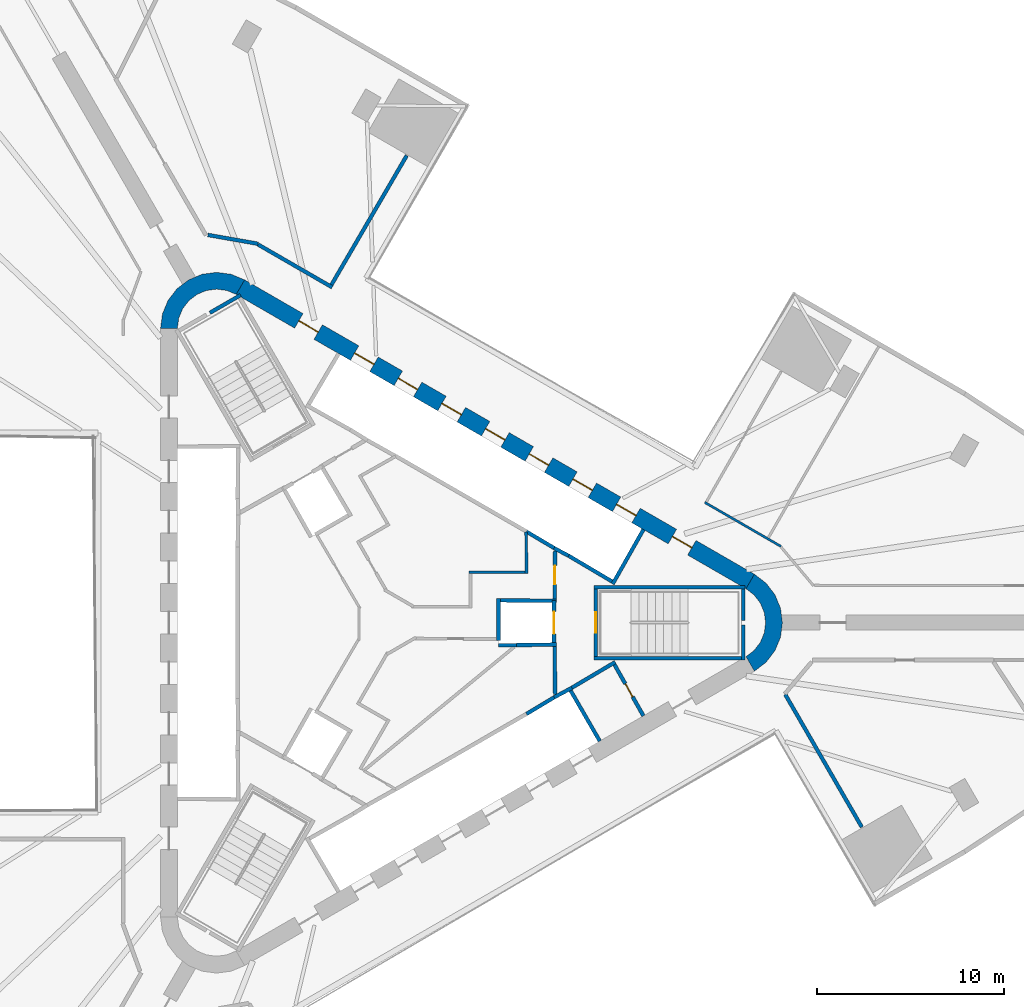
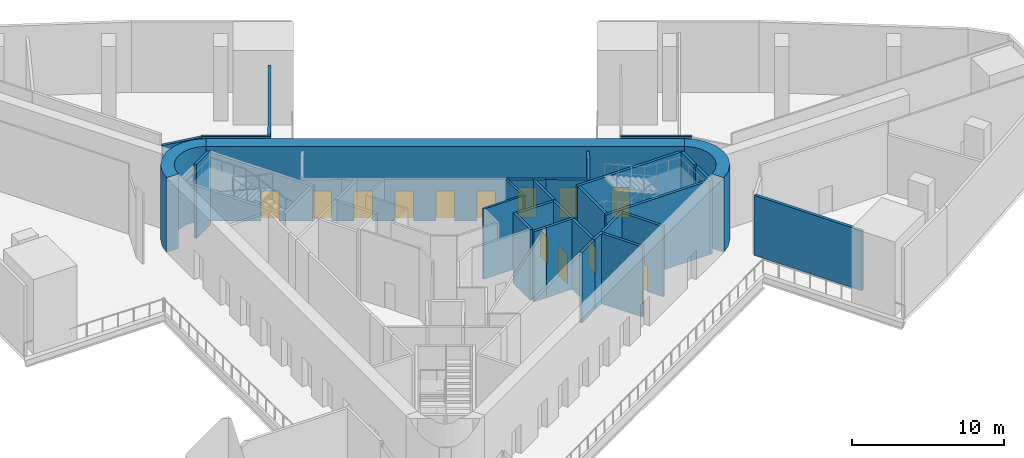
# One storey, part 6 of 11: 32 walls, 13 doors, 13 openings.
"""IFC4 building model written with IfcOpenShell, lengths in metres."""

from ifc_helpers import new_model, si_unit, direction, frame, frame_2d, origin, place, context, subcontext, project, spatial, polyline, rectangle, outline, extrude, material, layer, layer_set, type_object, element, fill, save


model = new_model("IFC4")

# Units and contexts
model_context = context("Model", 3, precision=1e-05, world=origin(), true_north=direction((0.0, 1.0)))
body_context = subcontext(model_context, "Body", "Model", "MODEL_VIEW")
ifc_project = project(units=[si_unit("LENGTHUNIT", "METRE"), si_unit("AREAUNIT", "SQUARE_METRE"), si_unit("VOLUMEUNIT", "CUBIC_METRE"), si_unit("PLANEANGLEUNIT", "RADIAN"), si_unit("MASSUNIT", "GRAM", prefix="KILO")], contexts=[model_context])

# Site, building, storey
site_placement = place(None, origin())
site = spatial("IfcSite", under=ifc_project, at=site_placement, CompositionType="ELEMENT")
building_placement = place(site_placement, origin())
building = spatial("IfcBuilding", under=site, at=building_placement, Name="Tanit Gate Tower", CompositionType="ELEMENT")
storey_placement = place(building_placement, frame((0.0, 0.0, 33.5)))
storey = spatial("IfcBuildingStorey", under=building, at=storey_placement, Name="L05", CompositionType="ELEMENT", Elevation=33.5)

# Wall, openings, doors
ifc_material_1 = material(Name="Concrete C60/75", Category="concrete")
ifc_layer_1 = layer(ifc_material_1, 0.89990234375)
ifc_layer_set_1 = layer_set([ifc_layer_1], Name="CORE WALL 900 C60/75")
wall_type_1 = type_object("IfcWallType", Name="CORE WALL 900 C60/75", PredefinedType="SHEAR", material=ifc_layer_set_1)
wall_1_placement = place(storey_placement, frame((19.47509765625, 2.20849609375, 0.0), z_axis=(0.0, 0.0, 1.0), x_axis=(-0.866028369851, 0.499994862586, 0.0)))
wall_1 = element("IfcWall", 1, at=wall_1_placement, inside=storey, type_object=wall_type_1, Name="CORE WALL", PredefinedType="SHEAR", context=body_context, shape_type="SweptSolid", body=[
    extrude(rectangle(XDim=31.523193359375, YDim=0.89990234375, at=frame_2d((15.76171875, 0.0))), origin(), (0.0, 0.0, 1.0), 6.0),
])
opening_1_placement = place(wall_1_placement, frame((7.0615234375, 0.0, 0.0)))
opening_1 = element("IfcOpeningElement", 2, at=opening_1_placement, cuts=wall_1, Name="Opening LDLL8-05", PredefinedType="OPENING", context=body_context, shape_type="SweptSolid", body=[
    extrude(rectangle(XDim=1.199951171875, YDim=2.39990234375, at=frame_2d((0.60009765625, 1.199951171875))), frame((0.0, 0.4599609375, 0.0), z_axis=(0.0, -1.0, 0.0), x_axis=(1.0, 0.0, 0.0)), (0.0, 0.0, 1.0), 0.919921875),
])
opening_2_placement = place(wall_1_placement, frame((9.76171875, 0.0, 0.0)))
opening_2 = element("IfcOpeningElement", 3, at=opening_2_placement, cuts=wall_1, Name="Opening LDLL9-05", PredefinedType="OPENING", context=body_context, shape_type="SweptSolid", body=[
    extrude(rectangle(XDim=1.199951171875, YDim=2.39990234375, at=frame_2d((0.60009765625, 1.199951171875))), frame((0.0, 0.4599609375, 0.0), z_axis=(0.0, -1.0, 0.0), x_axis=(1.0, 0.0, 0.0)), (0.0, 0.0, 1.0), 0.919921875),
])
opening_3_placement = place(wall_1_placement, frame((12.461669921875, 0.0, 0.0)))
opening_3 = element("IfcOpeningElement", 4, at=opening_3_placement, cuts=wall_1, Name="Opening LDLL10-05", PredefinedType="OPENING", context=body_context, shape_type="SweptSolid", body=[
    extrude(rectangle(XDim=1.199951171875, YDim=2.39990234375, at=frame_2d((0.60009765625, 1.199951171875))), frame((0.0, 0.4599609375, 0.0), z_axis=(0.0, -1.0, 0.0), x_axis=(1.0, 0.0, 0.0)), (0.0, 0.0, 1.0), 0.919921875),
])
opening_4_placement = place(wall_1_placement, frame((15.16162109375, 0.0, 0.0)))
opening_4 = element("IfcOpeningElement", 5, at=opening_4_placement, cuts=wall_1, Name="Opening LDSL1-05", PredefinedType="OPENING", context=body_context, shape_type="SweptSolid", body=[
    extrude(rectangle(XDim=1.199951171875, YDim=2.39990234375, at=frame_2d((0.60009765625, 1.199951171875))), frame((0.0, 0.4599609375, 0.0), z_axis=(0.0, -1.0, 0.0), x_axis=(1.0, 0.0, 0.0)), (0.0, 0.0, 1.0), 0.919921875),
])
opening_5_placement = place(wall_1_placement, frame((17.861572265625, 0.0, 0.0)))
opening_5 = element("IfcOpeningElement", 6, at=opening_5_placement, cuts=wall_1, Name="Opening LDSL2-05", PredefinedType="OPENING", context=body_context, shape_type="SweptSolid", body=[
    extrude(rectangle(XDim=1.199951171875, YDim=2.39990234375, at=frame_2d((0.60009765625, 1.199951171875))), frame((0.0, 0.4599609375, 0.0), z_axis=(0.0, -1.0, 0.0), x_axis=(1.0, 0.0, 0.0)), (0.0, 0.0, 1.0), 0.919921875),
])
opening_6_placement = place(wall_1_placement, frame((20.5615234375, 0.0, 0.0)))
opening_6 = element("IfcOpeningElement", 7, at=opening_6_placement, cuts=wall_1, Name="Opening LDSL3-05", PredefinedType="OPENING", context=body_context, shape_type="SweptSolid", body=[
    extrude(rectangle(XDim=1.199951171875, YDim=2.39990234375, at=frame_2d((0.60009765625, 1.199951171875))), frame((0.0, 0.4599609375, 0.0), z_axis=(0.0, -1.0, 0.0), x_axis=(1.0, 0.0, 0.0)), (0.0, 0.0, 1.0), 0.919921875),
])
opening_7_placement = place(wall_1_placement, frame((23.26171875, 0.0, 0.0)))
opening_7 = element("IfcOpeningElement", 8, at=opening_7_placement, cuts=wall_1, Name="Opening LDSL4-05", PredefinedType="OPENING", context=body_context, shape_type="SweptSolid", body=[
    extrude(rectangle(XDim=1.199951171875, YDim=2.39990234375, at=frame_2d((0.60009765625, 1.199951171875))), frame((0.0, 0.4599609375, 0.0), z_axis=(0.0, -1.0, 0.0), x_axis=(1.0, 0.0, 0.0)), (0.0, 0.0, 1.0), 0.919921875),
])
opening_8_placement = place(wall_1_placement, frame((3.611572265625, 0.0, 0.0)))
opening_8 = element("IfcOpeningElement", 9, at=opening_8_placement, cuts=wall_1, Name="Opening F12-05-FL1", PredefinedType="OPENING", context=body_context, shape_type="SweptSolid", body=[
    extrude(rectangle(XDim=1.199951171875, YDim=2.39990234375, at=frame_2d((0.60009765625, 1.199951171875))), frame((0.0, 0.4599609375, 0.0), z_axis=(0.0, -1.0, 0.0), x_axis=(1.0, 0.0, 0.0)), (0.0, 0.0, 1.0), 0.919921875),
])
opening_9_placement = place(wall_1_placement, frame((26.711669921875, 0.0, 0.0)))
opening_9 = element("IfcOpeningElement", 10, at=opening_9_placement, cuts=wall_1, Name="Opening F12-05-S2", PredefinedType="OPENING", context=body_context, shape_type="SweptSolid", body=[
    extrude(rectangle(XDim=1.199951171875, YDim=2.39990234375, at=frame_2d((0.60009765625, 1.199951171875))), frame((0.0, 0.4599609375, 0.0), z_axis=(0.0, -1.0, 0.0), x_axis=(1.0, 0.0, 0.0)), (0.0, 0.0, 1.0), 0.919921875),
])
ifc_material_2 = material(Name="Fire-rated steel door leaf", Category="steel")
door_type_1 = type_object("IfcDoorType", Name="INT-DOOR-FIRE-LOBBY-1200", OperationType="NOTDEFINED", PredefinedType="USERDEFINED", material=ifc_material_2)
door_1_placement = place(opening_8_placement, origin())
door_1 = element("IfcDoor", 11, at=door_1_placement, inside=storey, type_object=door_type_1, Name="Door F12-05-FL1", ObjectType="FIRE DOOR", OperationType="SINGLE_SWING_RIGHT", OverallHeight=2.39990234375, OverallWidth=1.199951171875, PredefinedType="USERDEFINED", context=body_context, shape_type="SweptSolid", body=[
    extrude(rectangle(XDim=1.199951171875, YDim=2.39990234375, at=frame_2d((0.60009765625, 1.199951171875))), frame((0.0, 0.02490234375, 0.0), z_axis=(0.0, -1.0, 0.0), x_axis=(1.0, 0.0, 0.0)), (0.0, 0.0, 1.0), 0.050048828125),
])
fill(opening_8, door_1)
door_2_placement = place(opening_9_placement, origin())
door_2 = element("IfcDoor", 12, at=door_2_placement, inside=storey, type_object=door_type_1, Name="Door F12-05-S2", ObjectType="FIRE DOOR", OperationType="SINGLE_SWING_RIGHT", OverallHeight=2.39990234375, OverallWidth=1.199951171875, PredefinedType="USERDEFINED", context=body_context, shape_type="SweptSolid", body=[
    extrude(rectangle(XDim=1.199951171875, YDim=2.39990234375, at=frame_2d((0.60009765625, 1.199951171875))), frame((0.0, 0.02490234375, 0.0), z_axis=(0.0, -1.0, 0.0), x_axis=(1.0, 0.0, 0.0)), (0.0, 0.0, 1.0), 0.050048828125),
])
fill(opening_9, door_2)
ifc_material_3 = material(Name="Stainless steel sliding door leaf", Category="steel")
door_type_2 = type_object("IfcDoorType", Name="INT-DOOR-LANDING-1200", OperationType="NOTDEFINED", PredefinedType="USERDEFINED", material=ifc_material_3)
door_3_placement = place(opening_1_placement, origin())
door_3 = element("IfcDoor", 13, at=door_3_placement, inside=storey, type_object=door_type_2, Name="Door LDLL8-05", ObjectType="LANDING DOOR", OperationType="SLIDING_TO_LEFT", OverallHeight=2.39990234375, OverallWidth=1.199951171875, PredefinedType="USERDEFINED", context=body_context, shape_type="SweptSolid", body=[
    extrude(rectangle(XDim=1.199951171875, YDim=2.39990234375, at=frame_2d((0.60009765625, 1.199951171875))), frame((0.0, 0.02490234375, 0.0), z_axis=(0.0, -1.0, 0.0), x_axis=(1.0, 0.0, 0.0)), (0.0, 0.0, 1.0), 0.050048828125),
])
fill(opening_1, door_3)
door_4_placement = place(opening_2_placement, origin())
door_4 = element("IfcDoor", 14, at=door_4_placement, inside=storey, type_object=door_type_2, Name="Door LDLL9-05", ObjectType="LANDING DOOR", OperationType="SLIDING_TO_LEFT", OverallHeight=2.39990234375, OverallWidth=1.199951171875, PredefinedType="USERDEFINED", context=body_context, shape_type="SweptSolid", body=[
    extrude(rectangle(XDim=1.199951171875, YDim=2.39990234375, at=frame_2d((0.60009765625, 1.199951171875))), frame((0.0, 0.02490234375, 0.0), z_axis=(0.0, -1.0, 0.0), x_axis=(1.0, 0.0, 0.0)), (0.0, 0.0, 1.0), 0.050048828125),
])
fill(opening_2, door_4)
door_5_placement = place(opening_3_placement, origin())
door_5 = element("IfcDoor", 15, at=door_5_placement, inside=storey, type_object=door_type_2, Name="Door LDLL10-05", ObjectType="LANDING DOOR", OperationType="SLIDING_TO_LEFT", OverallHeight=2.39990234375, OverallWidth=1.199951171875, PredefinedType="USERDEFINED", context=body_context, shape_type="SweptSolid", body=[
    extrude(rectangle(XDim=1.199951171875, YDim=2.39990234375, at=frame_2d((0.60009765625, 1.199951171875))), frame((0.0, 0.02490234375, 0.0), z_axis=(0.0, -1.0, 0.0), x_axis=(1.0, 0.0, 0.0)), (0.0, 0.0, 1.0), 0.050048828125),
])
fill(opening_3, door_5)
door_6_placement = place(opening_4_placement, origin())
door_6 = element("IfcDoor", 16, at=door_6_placement, inside=storey, type_object=door_type_2, Name="Door LDSL1-05", ObjectType="LANDING DOOR", OperationType="SLIDING_TO_LEFT", OverallHeight=2.39990234375, OverallWidth=1.199951171875, PredefinedType="USERDEFINED", context=body_context, shape_type="SweptSolid", body=[
    extrude(rectangle(XDim=1.199951171875, YDim=2.39990234375, at=frame_2d((0.60009765625, 1.199951171875))), frame((0.0, 0.02490234375, 0.0), z_axis=(0.0, -1.0, 0.0), x_axis=(1.0, 0.0, 0.0)), (0.0, 0.0, 1.0), 0.050048828125),
])
fill(opening_4, door_6)
door_7_placement = place(opening_5_placement, origin())
door_7 = element("IfcDoor", 17, at=door_7_placement, inside=storey, type_object=door_type_2, Name="Door LDSL2-05", ObjectType="LANDING DOOR", OperationType="SLIDING_TO_LEFT", OverallHeight=2.39990234375, OverallWidth=1.199951171875, PredefinedType="USERDEFINED", context=body_context, shape_type="SweptSolid", body=[
    extrude(rectangle(XDim=1.199951171875, YDim=2.39990234375, at=frame_2d((0.60009765625, 1.199951171875))), frame((0.0, 0.02490234375, 0.0), z_axis=(0.0, -1.0, 0.0), x_axis=(1.0, 0.0, 0.0)), (0.0, 0.0, 1.0), 0.050048828125),
])
fill(opening_5, door_7)
door_8_placement = place(opening_6_placement, origin())
door_8 = element("IfcDoor", 18, at=door_8_placement, inside=storey, type_object=door_type_2, Name="Door LDSL3-05", ObjectType="LANDING DOOR", OperationType="SLIDING_TO_LEFT", OverallHeight=2.39990234375, OverallWidth=1.199951171875, PredefinedType="USERDEFINED", context=body_context, shape_type="SweptSolid", body=[
    extrude(rectangle(XDim=1.199951171875, YDim=2.39990234375, at=frame_2d((0.60009765625, 1.199951171875))), frame((0.0, 0.02490234375, 0.0), z_axis=(0.0, -1.0, 0.0), x_axis=(1.0, 0.0, 0.0)), (0.0, 0.0, 1.0), 0.050048828125),
])
fill(opening_6, door_8)
door_9_placement = place(opening_7_placement, origin())
door_9 = element("IfcDoor", 19, at=door_9_placement, inside=storey, type_object=door_type_2, Name="Door LDSL4-05", ObjectType="LANDING DOOR", OperationType="SLIDING_TO_LEFT", OverallHeight=2.39990234375, OverallWidth=1.199951171875, PredefinedType="USERDEFINED", context=body_context, shape_type="SweptSolid", body=[
    extrude(rectangle(XDim=1.199951171875, YDim=2.39990234375, at=frame_2d((0.60009765625, 1.199951171875))), frame((0.0, 0.02490234375, 0.0), z_axis=(0.0, -1.0, 0.0), x_axis=(1.0, 0.0, 0.0)), (0.0, 0.0, 1.0), 0.050048828125),
])
fill(opening_7, door_9)

# Walls
wall_2_placement = place(storey_placement, origin())
element("IfcWall", 20, at=wall_2_placement, inside=storey, type_object=wall_type_1, Name="CORE WALL CORNER", PredefinedType="SHEAR", context=body_context, shape_type="SweptSolid", body=[
    extrude(outline(polyline([(-7.60009765625, 18.359619140625), (-8.323486328125, 18.659423828125), (-9.10009765625, 18.76171875), (-9.87646484375, 18.659423828125), (-10.60009765625, 18.359619140625), (-11.22119140625, 17.883056640625), (-11.697998046875, 17.26171875), (-11.997802734375, 16.5380859375), (-12.10009765625, 15.76171875), (-11.199951171875, 15.76171875), (-11.12841796875, 16.30517578125), (-10.918701171875, 16.811767578125), (-10.5849609375, 17.24658203125), (-10.14990234375, 17.580322265625), (-9.6435546875, 17.7900390625), (-9.10009765625, 17.86181640625), (-8.556396484375, 17.7900390625), (-8.050048828125, 17.580322265625), (-7.60009765625, 18.359619140625)])), origin(), (0.0, 0.0, 1.0), 6.0),
])
wall_3_placement = place(storey_placement, origin())
element("IfcWall", 21, at=wall_3_placement, inside=storey, type_object=wall_type_1, Name="CORE WALL CORNER", PredefinedType="SHEAR", context=body_context, shape_type="SweptSolid", body=[
    extrude(outline(polyline([(19.699951171875, -2.59814453125), (20.3212890625, -2.121337890625), (20.798095703125, -1.5), (21.097900390625, -0.776611328125), (21.199951171875, 0.0), (21.097900390625, 0.776611328125), (20.798095703125, 1.5), (20.3212890625, 2.121337890625), (19.699951171875, 2.59814453125), (19.25, 1.818603515625), (19.684814453125, 1.48486328125), (20.018798828125, 1.050048828125), (20.228515625, 0.54345703125), (20.300048828125, 0.0), (20.228515625, -0.54345703125), (20.018798828125, -1.050048828125), (19.684814453125, -1.48486328125), (19.25, -1.818603515625), (19.699951171875, -2.59814453125)])), origin(), (0.0, 0.0, 1.0), 6.0),
])
ifc_material_4 = material(Name="Fire-rated gypsum board partition")
ifc_layer_2 = layer(ifc_material_4, 0.199951171875)
ifc_layer_set_2 = layer_set([ifc_layer_2], Name="INT-WALL-COMPARTMENT")
wall_type_2 = type_object("IfcWallType", Name="INT-WALL-COMPARTMENT", PredefinedType="PARTITIONING", material=ifc_layer_set_2)
wall_4_placement = place(storey_placement, frame((12.244873046875, -2.10888671875, 0.0), z_axis=(0.0, 0.0, 1.0), x_axis=(-0.860414880418, -0.509594185166, 0.0)))
element("IfcWall", 22, at=wall_4_placement, inside=storey, type_object=wall_type_2, Name="Wall Compartment W061", PredefinedType="PARTITIONING", context=body_context, shape_type="SweptSolid", body=[
    extrude(rectangle(XDim=2.7001953125, YDim=0.199951171875, at=frame_2d((1.35009765625, 0.0))), origin(), (0.0, 0.0, 1.0), 5.64990234375),
])

# Wall, opening, door
wall_5_placement = place(storey_placement, frame((13.758056640625, -4.989501953125, 0.0), z_axis=(0.0, 0.0, 1.0), x_axis=(-0.491993409184, 0.87059892334, 0.0)))
wall_5 = element("IfcWall", 23, at=wall_5_placement, inside=storey, type_object=wall_type_2, Name="Wall Compartment W062", PredefinedType="PARTITIONING", context=body_context, shape_type="SweptSolid", body=[
    extrude(rectangle(XDim=3.150146484375, YDim=0.199951171875, at=frame_2d((1.5751953125, 0.0))), origin(), (0.0, 0.0, 1.0), 5.64990234375),
])
opening_10_placement = place(wall_5_placement, frame((1.175048828125, 0.0, 0.0)))
opening_10 = element("IfcOpeningElement", 24, at=opening_10_placement, cuts=wall_5, Name="Opening R08-05-14", PredefinedType="OPENING", context=body_context, shape_type="SweptSolid", body=[
    extrude(rectangle(XDim=0.800048828125, YDim=2.10009765625, at=frame_2d((0.39990234375, 1.050048828125))), frame((0.0, 0.10986328125, 0.0), z_axis=(0.0, -1.0, 0.0), x_axis=(1.0, 0.0, 0.0)), (0.0, 0.0, 1.0), 0.219970703125),
])
ifc_material_5 = material(Name="Timber door leaf", Category="wood")
door_type_3 = type_object("IfcDoorType", Name="INT-DOOR-RISER-800", OperationType="NOTDEFINED", PredefinedType="USERDEFINED", material=ifc_material_5)
door_10_placement = place(opening_10_placement, origin())
door_10 = element("IfcDoor", 25, at=door_10_placement, inside=storey, type_object=door_type_3, Name="Door R08-05-14", ObjectType="FIRE DOOR", OperationType="SINGLE_SWING_LEFT", OverallHeight=2.10009765625, OverallWidth=0.800048828125, PredefinedType="USERDEFINED", context=body_context, shape_type="SweptSolid", body=[
    extrude(rectangle(XDim=0.800048828125, YDim=2.10009765625, at=frame_2d((0.39990234375, 1.050048828125))), frame((0.0, 0.02490234375, 0.0), z_axis=(0.0, -1.0, 0.0), x_axis=(1.0, 0.0, 0.0)), (0.0, 0.0, 1.0), 0.050048828125),
])
fill(opening_10, door_10)

# Wall
wall_6_placement = place(storey_placement, frame((9.02880859375, -3.8505859375, 0.0), z_axis=(0.0, 0.0, 1.0), x_axis=(-0.010784614026, 0.999941844359, 0.0)))
element("IfcWall", 26, at=wall_6_placement, inside=storey, type_object=wall_type_2, Name="Wall Compartment W063", PredefinedType="PARTITIONING", context=body_context, shape_type="SweptSolid", body=[
    extrude(rectangle(XDim=2.580810546875, YDim=0.199951171875, at=frame_2d((1.29052734375, 0.0))), origin(), (0.0, 0.0, 1.0), 5.64990234375),
])

# Wall, opening, door
wall_7_placement = place(storey_placement, frame((9.0009765625, 1.27001953125, 0.0), z_axis=(0.0, 0.0, 1.0), x_axis=(0.010783593937, 0.99994185536, 0.0)))
wall_7 = element("IfcWall", 27, at=wall_7_placement, inside=storey, type_object=wall_type_2, Name="Wall Compartment W064", PredefinedType="PARTITIONING", context=body_context, shape_type="SweptSolid", body=[
    extrude(rectangle(XDim=2.5810546875, YDim=0.199951171875, at=frame_2d((1.29052734375, 0.0))), origin(), (0.0, 0.0, 1.0), 5.64990234375),
])
opening_11_placement = place(wall_7_placement, frame((0.79052734375, 0.0, 0.0)))
opening_11 = element("IfcOpeningElement", 28, at=opening_11_placement, cuts=wall_7, Name="Opening F10-05-02", PredefinedType="OPENING", context=body_context, shape_type="SweptSolid", body=[
    extrude(rectangle(XDim=1.0, YDim=2.10009765625, at=frame_2d((0.5, 1.050048828125))), frame((0.0, 0.10986328125, 0.0), z_axis=(0.0, -1.0, 0.0), x_axis=(1.0, 0.0, 0.0)), (0.0, 0.0, 1.0), 0.219970703125),
])
ifc_material_6 = material(Name="Fire-rated steel door leaf", Category="steel")
door_type_4 = type_object("IfcDoorType", Name="INT-DOOR-FIRE-1000", OperationType="NOTDEFINED", PredefinedType="USERDEFINED", material=ifc_material_6)
door_11_placement = place(opening_11_placement, origin())
door_11 = element("IfcDoor", 29, at=door_11_placement, inside=storey, type_object=door_type_4, Name="Door F10-05-02", ObjectType="FIRE DOOR", OperationType="SINGLE_SWING_RIGHT", OverallHeight=2.10009765625, OverallWidth=1.0, PredefinedType="USERDEFINED", context=body_context, shape_type="SweptSolid", body=[
    extrude(rectangle(XDim=1.0, YDim=2.10009765625, at=frame_2d((0.5, 1.050048828125))), frame((0.0, 0.02490234375, 0.0), z_axis=(0.0, -1.0, 0.0), x_axis=(1.0, 0.0, 0.0)), (0.0, 0.0, 1.0), 0.050048828125),
])
fill(opening_11, door_11)

# Walls
wall_8_placement = place(storey_placement, frame((-6.875732421875, 20.29052734375, 0.0), z_axis=(0.0, 0.0, 1.0), x_axis=(-0.984795263605, 0.173718993725, 0.0)))
element("IfcWall", 30, at=wall_8_placement, inside=storey, type_object=wall_type_2, Name="Wall Compartment W108", PredefinedType="PARTITIONING", context=body_context, shape_type="SweptSolid", body=[
    extrude(rectangle(XDim=2.729248046875, YDim=0.199951171875, at=frame_2d((1.36474609375, 0.0))), origin(), (0.0, 0.0, 1.0), 4.72998046875),
])
wall_9_placement = place(storey_placement, frame((-2.910400390625, 17.961669921875, 0.0), z_axis=(0.0, 0.0, 1.0), x_axis=(-0.866026229868, 0.499998569178, 0.0)))
element("IfcWall", 31, at=wall_9_placement, inside=storey, type_object=wall_type_2, Name="Wall Compartment W109", PredefinedType="PARTITIONING", context=body_context, shape_type="SweptSolid", body=[
    extrude(rectangle(XDim=4.59228515625, YDim=0.199951171875, at=frame_2d((2.296142578125, 0.0))), origin(), (0.0, 0.0, 1.0), 4.830078125),
])
wall_10_placement = place(storey_placement, frame((-2.94677734375, 18.09814453125, 0.0), z_axis=(0.0, 0.0, 1.0), x_axis=(0.503358836551, 0.864077474343, 0.0)))
element("IfcWall", 32, at=wall_10_placement, inside=storey, type_object=wall_type_2, Name="Wall Compartment W110", PredefinedType="PARTITIONING", context=body_context, shape_type="SweptSolid", body=[
    extrude(rectangle(XDim=8.00341796875, YDim=0.199951171875, at=frame_2d((4.001708984375, 0.0))), origin(), (0.0, 0.0, 1.0), 4.830078125),
])
wall_11_placement = place(storey_placement, frame((25.45166015625, -10.943603515625, 0.0), z_axis=(0.0, 0.0, 1.0), x_axis=(-0.499992958048, 0.866029469419, 0.0)))
element("IfcWall", 33, at=wall_11_placement, inside=storey, type_object=wall_type_2, Name="Wall Compartment W120", PredefinedType="PARTITIONING", context=body_context, shape_type="SweptSolid", body=[
    extrude(rectangle(XDim=8.203125, YDim=0.199951171875, at=frame_2d((4.1015625, 0.0))), origin(), (0.0, 0.0, 1.0), 4.830078125),
])
ifc_material_7 = material(Name="Gypsum board partition")
ifc_layer_3 = layer(ifc_material_7, 0.1201171875)
ifc_layer_set_3 = layer_set([ifc_layer_3], Name="INT-WALL-PARTITION")
wall_type_3 = type_object("IfcWallType", Name="INT-WALL-PARTITION", PredefinedType="PARTITIONING", material=ifc_layer_set_3)
wall_12_placement = place(storey_placement, frame((21.1259765625, 4.084228515625, 0.0), z_axis=(0.0, 0.0, 1.0), x_axis=(-0.865925898687, 0.500172308292, 0.0)))
element("IfcWall", 34, at=wall_12_placement, inside=storey, type_object=wall_type_3, Name="Wall Partition W102", PredefinedType="PARTITIONING", context=body_context, shape_type="SweptSolid", body=[
    extrude(rectangle(XDim=4.713134765625, YDim=0.1201171875, at=frame_2d((2.3564453125, 0.0))), origin(), (0.0, 0.0, 1.0), 4.830078125),
])
ifc_material_8 = material(Name="Fire-rated gypsum board partition")
ifc_layer_4 = layer(ifc_material_8, 0.14990234375)
ifc_layer_set_4 = layer_set([ifc_layer_4], Name="INT-WALL-RISER")
wall_type_4 = type_object("IfcWallType", Name="INT-WALL-RISER", PredefinedType="PLUMBINGWALL", material=ifc_layer_set_4)
wall_13_placement = place(storey_placement, frame((7.5009765625, 2.625, 0.0), z_axis=(0.0, 0.0, 1.0), x_axis=(-0.01177286769, 0.999930697392, 0.0)))
element("IfcWall", 35, at=wall_13_placement, inside=storey, type_object=wall_type_4, Name="Wall Riser W079", PredefinedType="PLUMBINGWALL", context=body_context, shape_type="SweptSolid", body=[
    extrude(rectangle(XDim=2.23974609375, YDim=0.14990234375, at=frame_2d((1.119873046875, 0.0))), origin(), (0.0, 0.0, 1.0), 5.64990234375),
])
wall_14_placement = place(storey_placement, frame((4.425048828125, 2.699951171875, 0.0), z_axis=(0.0, 0.0, 1.0), x_axis=(1.0, 0.0, 0.0)))
element("IfcWall", 36, at=wall_14_placement, inside=storey, type_object=wall_type_4, Name="Wall Riser W080", PredefinedType="PLUMBINGWALL", context=body_context, shape_type="SweptSolid", body=[
    extrude(rectangle(XDim=3.0, YDim=0.14990234375, at=frame_2d((1.5, 0.0))), origin(), (0.0, 0.0, 1.0), 5.64990234375),
])
ifc_material_9 = material(Name="Gypsum shaft wall system")
ifc_layer_5 = layer(ifc_material_9, 0.199951171875)
ifc_layer_set_5 = layer_set([ifc_layer_5], Name="INT-WALL-SHAFT")
wall_type_5 = type_object("IfcWallType", Name="INT-WALL-SHAFT", PredefinedType="PLUMBINGWALL", material=ifc_layer_set_5)
wall_15_placement = place(storey_placement, frame((12.10986328125, 2.07275390625, 0.0), z_axis=(0.0, 0.0, 1.0), x_axis=(0.49196600604, 0.870614408852, 0.0)))
element("IfcWall", 37, at=wall_15_placement, inside=storey, type_object=wall_type_5, Name="Wall Shaft W013", PredefinedType="PLUMBINGWALL", context=body_context, shape_type="SweptSolid", body=[
    extrude(rectangle(XDim=3.35009765625, YDim=0.199951171875, at=frame_2d((1.675048828125, 0.0))), origin(), (0.0, 0.0, 1.0), 5.64990234375),
])
wall_16_placement = place(storey_placement, frame((12.072998046875, 2.2109375, 0.0), z_axis=(0.0, 0.0, 1.0), x_axis=(-0.860438357912, 0.509554542943, 0.0)))
element("IfcWall", 38, at=wall_16_placement, inside=storey, type_object=wall_type_5, Name="Wall Shaft W014", PredefinedType="PLUMBINGWALL", context=body_context, shape_type="SweptSolid", body=[
    extrude(rectangle(XDim=2.700439453125, YDim=0.199951171875, at=frame_2d((1.35009765625, 0.0))), origin(), (0.0, 0.0, 1.0), 5.64990234375),
])
wall_17_placement = place(storey_placement, frame((9.74755859375, 3.583251953125, 0.0), z_axis=(0.0, 0.0, 1.0), x_axis=(-0.880917147855, 0.473270513147, 0.0)))
element("IfcWall", 39, at=wall_17_placement, inside=storey, type_object=wall_type_5, Name="Wall Shaft W015", PredefinedType="PLUMBINGWALL", context=body_context, shape_type="SweptSolid", body=[
    extrude(rectangle(XDim=0.8779296875, YDim=0.199951171875, at=frame_2d((0.43896484375, 0.0))), origin(), (0.0, 0.0, 1.0), 5.64990234375),
])
wall_18_placement = place(storey_placement, frame((9.07958984375, 3.93701171875, 0.0), z_axis=(0.0, 0.0, 1.0), x_axis=(-0.859981807212, 0.510324691999, 0.0)))
element("IfcWall", 40, at=wall_18_placement, inside=storey, type_object=wall_type_5, Name="Wall Shaft W016", PredefinedType="PLUMBINGWALL", context=body_context, shape_type="SweptSolid", body=[
    extrude(rectangle(XDim=1.8447265625, YDim=0.199951171875, at=frame_2d((0.92236328125, 0.0))), origin(), (0.0, 0.0, 1.0), 5.64990234375),
])
wall_19_placement = place(storey_placement, frame((9.794677734375, -3.52490234375, 0.0), z_axis=(0.0, 0.0, 1.0), x_axis=(0.499984717929, -0.866034226713, 0.0)))
element("IfcWall", 41, at=wall_19_placement, inside=storey, type_object=wall_type_5, Name="Wall Shaft W024", PredefinedType="PLUMBINGWALL", context=body_context, shape_type="SweptSolid", body=[
    extrude(rectangle(XDim=3.25, YDim=0.199951171875, at=frame_2d((1.625, 0.0))), origin(), (0.0, 0.0, 1.0), 5.64990234375),
])
wall_20_placement = place(storey_placement, frame((8.97412109375, -3.998779296875, 0.0), z_axis=(0.0, 0.0, 1.0), x_axis=(0.880907015104, 0.473289373154, 0.0)))
element("IfcWall", 42, at=wall_20_placement, inside=storey, type_object=wall_type_5, Name="Wall Shaft W025", PredefinedType="PLUMBINGWALL", context=body_context, shape_type="SweptSolid", body=[
    extrude(rectangle(XDim=1.078125, YDim=0.199951171875, at=frame_2d((0.5390625, 0.0))), origin(), (0.0, 0.0, 1.0), 5.64990234375),
])
wall_21_placement = place(storey_placement, frame((7.497314453125, -4.885986328125, 0.0), z_axis=(0.0, 0.0, 1.0), x_axis=(0.857516281273, 0.51445682749, 0.0)))
element("IfcWall", 43, at=wall_21_placement, inside=storey, type_object=wall_type_5, Name="Wall Shaft W026", PredefinedType="PLUMBINGWALL", context=body_context, shape_type="SweptSolid", body=[
    extrude(rectangle(XDim=1.8447265625, YDim=0.199951171875, at=frame_2d((0.92236328125, 0.0))), origin(), (0.0, 0.0, 1.0), 5.64990234375),
])

# Wall, opening, door
wall_22_placement = place(storey_placement, frame((8.969970703125, 1.199951171875, 0.0), z_axis=(0.0, 0.0, 1.0), x_axis=(0.0, -1.0, 0.0)))
wall_22 = element("IfcWall", 44, at=wall_22_placement, inside=storey, type_object=wall_type_5, Name="Wall Shaft W038", PredefinedType="PLUMBINGWALL", context=body_context, shape_type="SweptSolid", body=[
    extrude(rectangle(XDim=2.39990234375, YDim=0.199951171875, at=frame_2d((1.199951171875, 0.0))), origin(), (0.0, 0.0, 1.0), 5.64990234375),
])
opening_12_placement = place(wall_22_placement, frame((0.60009765625, 0.0, 0.0)))
opening_12 = element("IfcOpeningElement", 45, at=opening_12_placement, cuts=wall_22, Name="Opening LDFL1-L05", PredefinedType="OPENING", context=body_context, shape_type="SweptSolid", body=[
    extrude(rectangle(XDim=1.199951171875, YDim=2.39990234375, at=frame_2d((0.60009765625, 1.199951171875))), frame((0.0, 0.10986328125, 0.0), z_axis=(0.0, -1.0, 0.0), x_axis=(1.0, 0.0, 0.0)), (0.0, 0.0, 1.0), 0.219970703125),
])
door_12_placement = place(opening_12_placement, origin())
door_12 = element("IfcDoor", 46, at=door_12_placement, inside=storey, type_object=door_type_2, Name="Door LDFL1-L05", ObjectType="LANDING DOOR", OperationType="SLIDING_TO_LEFT", OverallHeight=2.39990234375, OverallWidth=1.199951171875, PredefinedType="USERDEFINED", context=body_context, shape_type="SweptSolid", body=[
    extrude(rectangle(XDim=1.199951171875, YDim=2.39990234375, at=frame_2d((0.60009765625, 1.199951171875))), frame((0.0, 0.02490234375, 0.0), z_axis=(0.0, -1.0, 0.0), x_axis=(1.0, 0.0, 0.0)), (0.0, 0.0, 1.0), 0.050048828125),
])
fill(opening_12, door_12)

# Walls
wall_23_placement = place(storey_placement, frame((6.948974609375, -1.199951171875, 0.0), z_axis=(0.0, 0.0, 1.0), x_axis=(-1.0, 0.0, 0.0)))
element("IfcWall", 47, at=wall_23_placement, inside=storey, type_object=wall_type_5, Name="Wall Shaft W039", PredefinedType="PLUMBINGWALL", context=body_context, shape_type="SweptSolid", body=[
    extrude(rectangle(XDim=0.948974609375, YDim=0.199951171875, at=frame_2d((0.474609375, 0.0))), origin(), (0.0, 0.0, 1.0), 5.64990234375),
])
wall_24_placement = place(storey_placement, frame((9.10009765625, -1.16845703125, 0.0), z_axis=(0.0, 0.0, 1.0), x_axis=(-0.999896137355, -0.014412303875, 0.0)))
element("IfcWall", 48, at=wall_24_placement, inside=storey, type_object=wall_type_5, Name="Wall Shaft W040", PredefinedType="PLUMBINGWALL", context=body_context, shape_type="SweptSolid", body=[
    extrude(rectangle(XDim=2.1513671875, YDim=0.199951171875, at=frame_2d((1.07568359375, 0.0))), origin(), (0.0, 0.0, 1.0), 5.64990234375),
])
wall_25_placement = place(storey_placement, frame((6.0, -0.95458984375, 0.0), z_axis=(0.0, 0.0, 1.0), x_axis=(0.0, 1.0, 0.0)))
element("IfcWall", 49, at=wall_25_placement, inside=storey, type_object=wall_type_5, Name="Wall Shaft W041", PredefinedType="PLUMBINGWALL", context=body_context, shape_type="SweptSolid", body=[
    extrude(rectangle(XDim=2.254638671875, YDim=0.199951171875, at=frame_2d((1.12744140625, 0.0))), origin(), (0.0, 0.0, 1.0), 5.64990234375),
])
wall_26_placement = place(storey_placement, frame((9.10009765625, 1.1689453125, 0.0), z_axis=(0.0, 0.0, 1.0), x_axis=(-0.99994990606, 0.010009264196, 0.0)))
element("IfcWall", 50, at=wall_26_placement, inside=storey, type_object=wall_type_5, Name="Wall Shaft W042", PredefinedType="PLUMBINGWALL", context=body_context, shape_type="SweptSolid", body=[
    extrude(rectangle(XDim=3.000244140625, YDim=0.199951171875, at=frame_2d((1.5, 0.0))), origin(), (0.0, 0.0, 1.0), 5.64990234375),
])
ifc_material_10 = material(Name="Concrete C40/50", Category="concrete")
ifc_layer_6 = layer(ifc_material_10, 0.199951171875)
ifc_layer_set_6 = layer_set([ifc_layer_6], Name="INT-WALL-STAIR")
wall_type_6 = type_object("IfcWallType", Name="INT-WALL-STAIR", PredefinedType="SHEAR", material=ifc_layer_set_6)
wall_27_placement = place(storey_placement, frame((19.199951171875, 1.89990234375, -0.300048828125), z_axis=(0.0, 0.0, 1.0), x_axis=(-1.0, 0.0, 0.0)))
element("IfcWall", 51, at=wall_27_placement, inside=storey, type_object=wall_type_6, Name="Wall Stair W033", PredefinedType="SHEAR", context=body_context, shape_type="SweptSolid", body=[
    extrude(rectangle(XDim=8.099853515625, YDim=0.199951171875, at=frame_2d((4.0498046875, 0.0))), origin(), (0.0, 0.0, 1.0), 5.949951171875),
])
wall_28_placement = place(storey_placement, frame((19.10009765625, -2.0, -0.300048828125), z_axis=(0.0, 0.0, 1.0), x_axis=(0.0, 1.0, 0.0)))
element("IfcWall", 52, at=wall_28_placement, inside=storey, type_object=wall_type_6, Name="Wall Stair W035", PredefinedType="SHEAR", context=body_context, shape_type="SweptSolid", body=[
    extrude(rectangle(XDim=1.889892578125, YDim=0.199951171875, at=frame_2d((0.94482421875, 0.0))), origin(), (0.0, 0.0, 1.0), 5.949951171875),
])
wall_29_placement = place(storey_placement, frame((19.10009765625, 0.110107421875, -0.300048828125), z_axis=(0.0, 0.0, 1.0), x_axis=(0.0, 1.0, 0.0)))
element("IfcWall", 53, at=wall_29_placement, inside=storey, type_object=wall_type_6, Name="Wall Stair W034", PredefinedType="SHEAR", context=body_context, shape_type="SweptSolid", body=[
    extrude(rectangle(XDim=1.68994140625, YDim=0.199951171875, at=frame_2d((0.844970703125, 0.0))), origin(), (0.0, 0.0, 1.0), 5.949951171875),
])
wall_30_placement = place(storey_placement, frame((11.10009765625, -1.89990234375, -0.300048828125), z_axis=(0.0, 0.0, 1.0), x_axis=(1.0, 0.0, 0.0)))
element("IfcWall", 54, at=wall_30_placement, inside=storey, type_object=wall_type_6, Name="Wall Stair W036", PredefinedType="SHEAR", context=body_context, shape_type="SweptSolid", body=[
    extrude(rectangle(XDim=7.89990234375, YDim=0.199951171875, at=frame_2d((3.949951171875, 0.0))), origin(), (0.0, 0.0, 1.0), 5.949951171875),
])

# Wall, opening, door
wall_31_placement = place(storey_placement, frame((11.199951171875, -1.800048828125, -0.300048828125), z_axis=(0.0, 0.0, 1.0), x_axis=(0.0, 1.0, 0.0)))
wall_31 = element("IfcWall", 55, at=wall_31_placement, inside=storey, type_object=wall_type_6, Name="Wall Stair W037", PredefinedType="SHEAR", context=body_context, shape_type="SweptSolid", body=[
    extrude(rectangle(XDim=3.60009765625, YDim=0.199951171875, at=frame_2d((1.800048828125, 0.0))), origin(), (0.0, 0.0, 1.0), 5.949951171875),
])
opening_13_placement = place(wall_31_placement, frame((1.25, 0.0, 0.300048828125)))
opening_13 = element("IfcOpeningElement", 56, at=opening_13_placement, cuts=wall_31, Name="Opening S11-05-01", PredefinedType="OPENING", context=body_context, shape_type="SweptSolid", body=[
    extrude(rectangle(XDim=1.10009765625, YDim=2.10009765625, at=frame_2d((0.550048828125, 1.050048828125))), frame((0.0, 0.10986328125, 0.0), z_axis=(0.0, -1.0, 0.0), x_axis=(1.0, 0.0, 0.0)), (0.0, 0.0, 1.0), 0.219970703125),
])
ifc_material_11 = material(Name="Timber door leaf", Category="wood")
door_type_5 = type_object("IfcDoorType", Name="INT-DOOR-STAIR-1100", OperationType="NOTDEFINED", PredefinedType="USERDEFINED", material=ifc_material_11)
door_13_placement = place(opening_13_placement, origin())
door_13 = element("IfcDoor", 57, at=door_13_placement, inside=storey, type_object=door_type_5, Name="Door S11-05-01", ObjectType="FIRE DOOR", OperationType="SINGLE_SWING_RIGHT", OverallHeight=2.10009765625, OverallWidth=1.10009765625, PredefinedType="USERDEFINED", context=body_context, shape_type="SweptSolid", body=[
    extrude(rectangle(XDim=1.10009765625, YDim=2.10009765625, at=frame_2d((0.550048828125, 1.050048828125))), frame((0.0, 0.02490234375, 0.0), z_axis=(0.0, -1.0, 0.0), x_axis=(1.0, 0.0, 0.0)), (0.0, 0.0, 1.0), 0.050048828125),
])
fill(opening_13, door_13)

# Wall
wall_32_placement = place(storey_placement, frame((-7.81787109375, 17.541015625, -0.300048828125), z_axis=(0.0, 0.0, 1.0), x_axis=(-0.866088799389, -0.499890179513, 0.0)))
element("IfcWall", 58, at=wall_32_placement, inside=storey, type_object=wall_type_6, Name="Wall Stair W045", PredefinedType="SHEAR", context=body_context, shape_type="SweptSolid", body=[
    extrude(rectangle(XDim=1.89013671875, YDim=0.199951171875, at=frame_2d((0.945068359375, 0.0))), origin(), (0.0, 0.0, 1.0), 5.949951171875),
])

save(model, "model.ifc")
